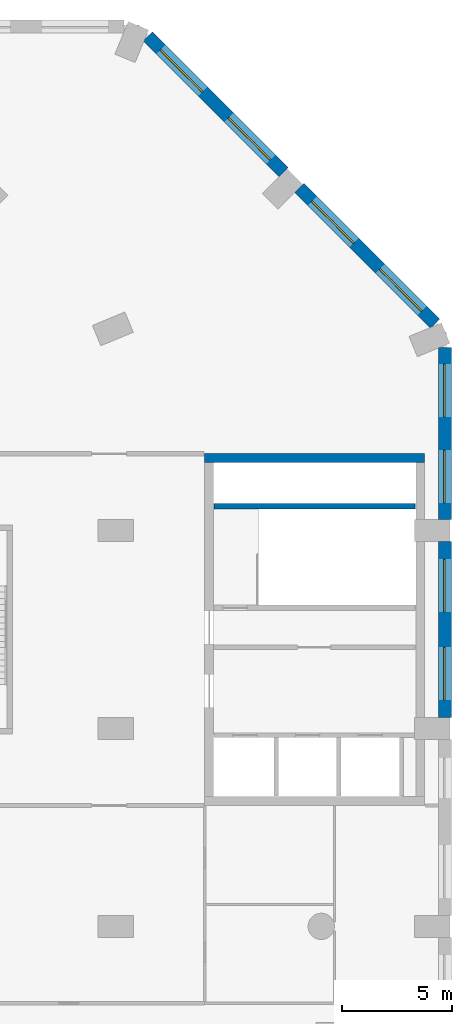
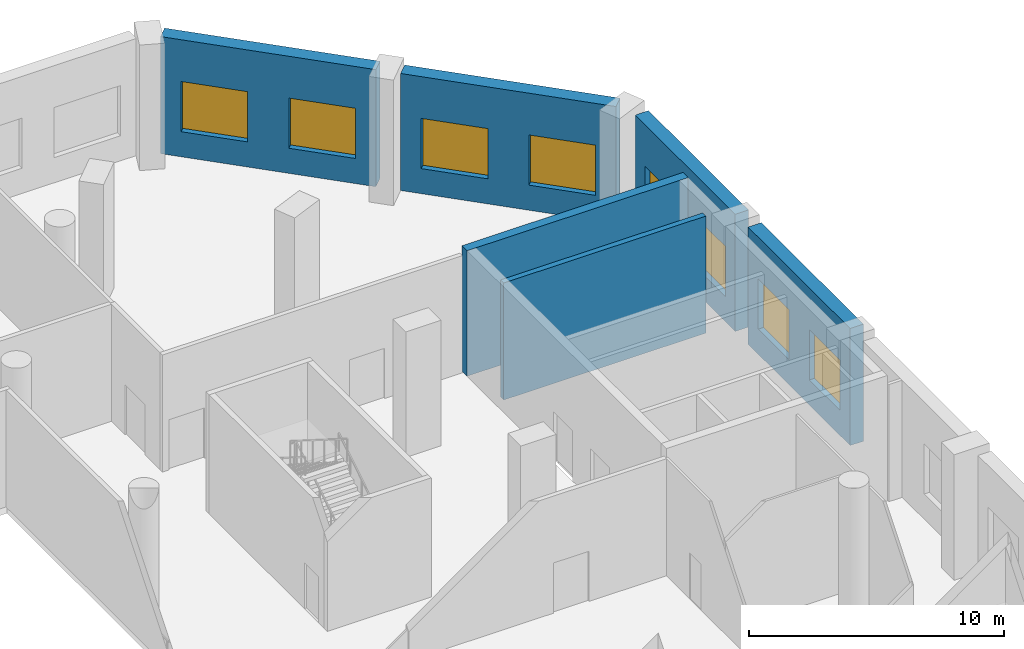
# One storey, part 9 of 19: 8 windows, 6 walls, 8 openings.
"""IFC4 building model written with IfcOpenShell, lengths in metres."""

from ifc_helpers import new_model, si_unit, direction, frame, frame_2d, origin, place, context, subcontext, project, spatial, rectangle, extrude, material, layer, layer_set, type_object, element, fill, save


model = new_model("IFC4")

# Units and contexts
model_context = context("Model", 3, precision=1e-05, world=origin(), true_north=direction((0.0, 1.0)))
body_context = subcontext(model_context, "Body", "Model", "MODEL_VIEW")
ifc_project = project(units=[si_unit("LENGTHUNIT", "METRE"), si_unit("AREAUNIT", "SQUARE_METRE"), si_unit("VOLUMEUNIT", "CUBIC_METRE"), si_unit("PLANEANGLEUNIT", "RADIAN"), si_unit("MASSUNIT", "GRAM", prefix="KILO")], contexts=[model_context])

# Site, building, storey
site_placement = place(None, origin())
site = spatial("IfcSite", under=ifc_project, at=site_placement, CompositionType="ELEMENT")
building_placement = place(site_placement, origin())
building = spatial("IfcBuilding", under=site, at=building_placement, Name="Cypress Arch Tower", CompositionType="ELEMENT")
storey_placement = place(building_placement, frame((0.0, 0.0, 44.0)))
storey = spatial("IfcBuildingStorey", under=building, at=storey_placement, Name="L05", CompositionType="ELEMENT", Elevation=44.0)

# Wall, openings, windows
ifc_material_1 = material(Name="Brick (red buff blend) on blockwork backing", Category="masonry")
ifc_layer_1 = layer(ifc_material_1, 0.60009765625)
ifc_layer_set_1 = layer_set([ifc_layer_1], Name="Brick base wall BW600")
wall_type_1 = type_object("IfcWallType", Name="Brick base wall BW600", PredefinedType="ELEMENTEDWALL", material=ifc_layer_set_1)
wall_1_placement = place(storey_placement, frame((38.925048828125, -4.0, 0.0), z_axis=(0.0, 0.0, 1.0), x_axis=(0.0, 1.0, 0.0)))
wall_1 = element("IfcWall", 1, at=wall_1_placement, inside=storey, type_object=wall_type_1, Name="Brick wall L05 P01.3", PredefinedType="ELEMENTEDWALL", context=body_context, shape_type="SweptSolid", body=[
    extrude(rectangle(XDim=8.0, YDim=0.60009765625, at=frame_2d((4.0, 0.0))), origin(), (0.0, 0.0, 1.0), 5.595947265625),
])
opening_1_placement = place(wall_1_placement, frame((0.800048828125, 0.0, 1.199951171875)))
opening_1 = element("IfcOpeningElement", 2, at=opening_1_placement, cuts=wall_1, Name="Opening W240P", PredefinedType="OPENING", context=body_context, shape_type="SweptSolid", body=[
    extrude(rectangle(XDim=2.39990234375, YDim=2.39990234375, at=frame_2d((1.199951171875, 1.199951171875))), frame((0.0, 0.31005859375, 0.0), z_axis=(0.0, -1.0, 0.0), x_axis=(1.0, 0.0, 0.0)), (0.0, 0.0, 1.0), 0.6201171875),
])
opening_2_placement = place(wall_1_placement, frame((4.800048828125, 0.0, 1.199951171875)))
opening_2 = element("IfcOpeningElement", 3, at=opening_2_placement, cuts=wall_1, Name="Opening W240P", PredefinedType="OPENING", context=body_context, shape_type="SweptSolid", body=[
    extrude(rectangle(XDim=2.39990234375, YDim=2.39990234375, at=frame_2d((1.199951171875, 1.199951171875))), frame((0.0, 0.31005859375, 0.0), z_axis=(0.0, -1.0, 0.0), x_axis=(1.0, 0.0, 0.0)), (0.0, 0.0, 1.0), 0.6201171875),
])
ifc_material_2 = material(Name="Anodised aluminium, bronze finish, clear low-emissivity double glazing", Category="aluminium")
window_type_1 = type_object("IfcWindowType", Name="Window Podium 2400x2400", PartitioningType="SINGLE_PANEL", PredefinedType="WINDOW", material=ifc_material_2)
window_1_placement = place(opening_1_placement, origin())
window_1 = element("IfcWindow", 4, at=window_1_placement, inside=storey, type_object=window_type_1, Name="Window L05 P01.3.1", OverallHeight=2.39990234375, OverallWidth=2.39990234375, PartitioningType="SINGLE_PANEL", PredefinedType="WINDOW", context=body_context, shape_type="SweptSolid", body=[
    extrude(rectangle(XDim=2.39990234375, YDim=2.39990234375, at=frame_2d((1.199951171875, 1.199951171875))), frame((0.0, 0.06005859375, 0.0), z_axis=(0.0, -1.0, 0.0), x_axis=(1.0, 0.0, 0.0)), (0.0, 0.0, 1.0), 0.06005859375),
])
fill(opening_1, window_1)
window_2_placement = place(opening_2_placement, origin())
window_2 = element("IfcWindow", 5, at=window_2_placement, inside=storey, type_object=window_type_1, Name="Window L05 P01.3.2", OverallHeight=2.39990234375, OverallWidth=2.39990234375, PartitioningType="SINGLE_PANEL", PredefinedType="WINDOW", context=body_context, shape_type="SweptSolid", body=[
    extrude(rectangle(XDim=2.39990234375, YDim=2.39990234375, at=frame_2d((1.199951171875, 1.199951171875))), frame((0.0, 0.06005859375, 0.0), z_axis=(0.0, -1.0, 0.0), x_axis=(1.0, 0.0, 0.0)), (0.0, 0.0, 1.0), 0.06005859375),
])
fill(opening_2, window_2)

wall_2_placement = place(storey_placement, frame((38.925048828125, 5.0, 0.0), z_axis=(0.0, 0.0, 1.0), x_axis=(0.0, 1.0, 0.0)))
wall_2 = element("IfcWall", 6, at=wall_2_placement, inside=storey, type_object=wall_type_1, Name="Brick wall L05 P01.4", PredefinedType="ELEMENTEDWALL", context=body_context, shape_type="SweptSolid", body=[
    extrude(rectangle(XDim=7.83447265625, YDim=0.60009765625, at=frame_2d((3.917236328125, 0.0))), origin(), (0.0, 0.0, 1.0), 5.595947265625),
])
opening_3_placement = place(wall_2_placement, frame((0.758544921875, 0.0, 1.199951171875)))
opening_3 = element("IfcOpeningElement", 7, at=opening_3_placement, cuts=wall_2, Name="Opening W240P", PredefinedType="OPENING", context=body_context, shape_type="SweptSolid", body=[
    extrude(rectangle(XDim=2.39990234375, YDim=2.39990234375, at=frame_2d((1.199951171875, 1.199951171875))), frame((0.0, 0.31005859375, 0.0), z_axis=(0.0, -1.0, 0.0), x_axis=(1.0, 0.0, 0.0)), (0.0, 0.0, 1.0), 0.6201171875),
])
opening_4_placement = place(wall_2_placement, frame((4.676025390625, 0.0, 1.199951171875)))
opening_4 = element("IfcOpeningElement", 8, at=opening_4_placement, cuts=wall_2, Name="Opening W240P", PredefinedType="OPENING", context=body_context, shape_type="SweptSolid", body=[
    extrude(rectangle(XDim=2.39990234375, YDim=2.39990234375, at=frame_2d((1.199951171875, 1.199951171875))), frame((0.0, 0.31005859375, 0.0), z_axis=(0.0, -1.0, 0.0), x_axis=(1.0, 0.0, 0.0)), (0.0, 0.0, 1.0), 0.6201171875),
])
window_3_placement = place(opening_3_placement, origin())
window_3 = element("IfcWindow", 9, at=window_3_placement, inside=storey, type_object=window_type_1, Name="Window L05 P01.4.1", OverallHeight=2.39990234375, OverallWidth=2.39990234375, PartitioningType="SINGLE_PANEL", PredefinedType="WINDOW", context=body_context, shape_type="SweptSolid", body=[
    extrude(rectangle(XDim=2.39990234375, YDim=2.39990234375, at=frame_2d((1.199951171875, 1.199951171875))), frame((0.0, 0.06005859375, 0.0), z_axis=(0.0, -1.0, 0.0), x_axis=(1.0, 0.0, 0.0)), (0.0, 0.0, 1.0), 0.06005859375),
])
fill(opening_3, window_3)
window_4_placement = place(opening_4_placement, origin())
window_4 = element("IfcWindow", 10, at=window_4_placement, inside=storey, type_object=window_type_1, Name="Window L05 P01.4.2", OverallHeight=2.39990234375, OverallWidth=2.39990234375, PartitioningType="SINGLE_PANEL", PredefinedType="WINDOW", context=body_context, shape_type="SweptSolid", body=[
    extrude(rectangle(XDim=2.39990234375, YDim=2.39990234375, at=frame_2d((1.199951171875, 1.199951171875))), frame((0.0, 0.06005859375, 0.0), z_axis=(0.0, -1.0, 0.0), x_axis=(1.0, 0.0, 0.0)), (0.0, 0.0, 1.0), 0.06005859375),
])
fill(opening_4, window_4)

wall_3_placement = place(storey_placement, frame((38.476318359375, 13.91748046875, 0.0), z_axis=(0.0, 0.0, 1.0), x_axis=(-0.707092804673, 0.707120757424, 0.0)))
wall_3 = element("IfcWall", 11, at=wall_3_placement, inside=storey, type_object=wall_type_1, Name="Brick wall L05 P02.0", PredefinedType="ELEMENTEDWALL", context=body_context, shape_type="SweptSolid", body=[
    extrude(rectangle(XDim=8.734130859375, YDim=0.60009765625, at=frame_2d((4.3671875, 0.0))), origin(), (0.0, 0.0, 1.0), 5.595947265625),
])
opening_5_placement = place(wall_3_placement, frame((0.83349609375, 0.0, 1.199951171875)))
opening_5 = element("IfcOpeningElement", 12, at=opening_5_placement, cuts=wall_3, Name="Opening W270P", PredefinedType="OPENING", context=body_context, shape_type="SweptSolid", body=[
    extrude(rectangle(XDim=2.699951171875, YDim=2.39990234375, at=frame_2d((1.35009765625, 1.199951171875))), frame((0.0, 0.31005859375, 0.0), z_axis=(0.0, -1.0, 0.0), x_axis=(1.0, 0.0, 0.0)), (0.0, 0.0, 1.0), 0.6201171875),
])
opening_6_placement = place(wall_3_placement, frame((5.200439453125, 0.0, 1.199951171875)))
opening_6 = element("IfcOpeningElement", 13, at=opening_6_placement, cuts=wall_3, Name="Opening W270P", PredefinedType="OPENING", context=body_context, shape_type="SweptSolid", body=[
    extrude(rectangle(XDim=2.699951171875, YDim=2.39990234375, at=frame_2d((1.35009765625, 1.199951171875))), frame((0.0, 0.31005859375, 0.0), z_axis=(0.0, -1.0, 0.0), x_axis=(1.0, 0.0, 0.0)), (0.0, 0.0, 1.0), 0.6201171875),
])
ifc_material_3 = material(Name="Anodised aluminium, bronze finish, clear low-emissivity double glazing", Category="aluminium")
window_type_2 = type_object("IfcWindowType", Name="Window Podium 2700x2400", PartitioningType="SINGLE_PANEL", PredefinedType="WINDOW", material=ifc_material_3)
window_5_placement = place(opening_5_placement, origin())
window_5 = element("IfcWindow", 14, at=window_5_placement, inside=storey, type_object=window_type_2, Name="Window L05 P02.0.1", OverallHeight=2.39990234375, OverallWidth=2.699951171875, PartitioningType="SINGLE_PANEL", PredefinedType="WINDOW", context=body_context, shape_type="SweptSolid", body=[
    extrude(rectangle(XDim=2.699951171875, YDim=2.39990234375, at=frame_2d((1.35009765625, 1.199951171875))), frame((0.0, 0.06005859375, 0.0), z_axis=(0.0, -1.0, 0.0), x_axis=(1.0, 0.0, 0.0)), (0.0, 0.0, 1.0), 0.06005859375),
])
fill(opening_5, window_5)
window_6_placement = place(opening_6_placement, origin())
window_6 = element("IfcWindow", 15, at=window_6_placement, inside=storey, type_object=window_type_2, Name="Window L05 P02.0.2", OverallHeight=2.39990234375, OverallWidth=2.699951171875, PartitioningType="SINGLE_PANEL", PredefinedType="WINDOW", context=body_context, shape_type="SweptSolid", body=[
    extrude(rectangle(XDim=2.699951171875, YDim=2.39990234375, at=frame_2d((1.35009765625, 1.199951171875))), frame((0.0, 0.06005859375, 0.0), z_axis=(0.0, -1.0, 0.0), x_axis=(1.0, 0.0, 0.0)), (0.0, 0.0, 1.0), 0.06005859375),
])
fill(opening_6, window_6)

wall_4_placement = place(storey_placement, frame((31.593505859375, 20.800537109375, 0.0), z_axis=(0.0, 0.0, 1.0), x_axis=(-0.707120757424, 0.707092804673, 0.0)))
wall_4 = element("IfcWall", 16, at=wall_4_placement, inside=storey, type_object=wall_type_1, Name="Brick wall L05 P02.1", PredefinedType="ELEMENTEDWALL", context=body_context, shape_type="SweptSolid", body=[
    extrude(rectangle(XDim=8.734130859375, YDim=0.60009765625, at=frame_2d((4.3671875, 0.0))), origin(), (0.0, 0.0, 1.0), 5.595947265625),
])
opening_7_placement = place(wall_4_placement, frame((0.83349609375, 0.0, 1.199951171875)))
opening_7 = element("IfcOpeningElement", 17, at=opening_7_placement, cuts=wall_4, Name="Opening W270P", PredefinedType="OPENING", context=body_context, shape_type="SweptSolid", body=[
    extrude(rectangle(XDim=2.699951171875, YDim=2.39990234375, at=frame_2d((1.35009765625, 1.199951171875))), frame((0.0, 0.31005859375, 0.0), z_axis=(0.0, -1.0, 0.0), x_axis=(1.0, 0.0, 0.0)), (0.0, 0.0, 1.0), 0.6201171875),
])
opening_8_placement = place(wall_4_placement, frame((5.200439453125, 0.0, 1.199951171875)))
opening_8 = element("IfcOpeningElement", 18, at=opening_8_placement, cuts=wall_4, Name="Opening W270P", PredefinedType="OPENING", context=body_context, shape_type="SweptSolid", body=[
    extrude(rectangle(XDim=2.699951171875, YDim=2.39990234375, at=frame_2d((1.35009765625, 1.199951171875))), frame((0.0, 0.31005859375, 0.0), z_axis=(0.0, -1.0, 0.0), x_axis=(1.0, 0.0, 0.0)), (0.0, 0.0, 1.0), 0.6201171875),
])
window_7_placement = place(opening_7_placement, origin())
window_7 = element("IfcWindow", 19, at=window_7_placement, inside=storey, type_object=window_type_2, Name="Window L05 P02.1.1", OverallHeight=2.39990234375, OverallWidth=2.699951171875, PartitioningType="SINGLE_PANEL", PredefinedType="WINDOW", context=body_context, shape_type="SweptSolid", body=[
    extrude(rectangle(XDim=2.699951171875, YDim=2.39990234375, at=frame_2d((1.35009765625, 1.199951171875))), frame((0.0, 0.06005859375, 0.0), z_axis=(0.0, -1.0, 0.0), x_axis=(1.0, 0.0, 0.0)), (0.0, 0.0, 1.0), 0.06005859375),
])
fill(opening_7, window_7)
window_8_placement = place(opening_8_placement, origin())
window_8 = element("IfcWindow", 20, at=window_8_placement, inside=storey, type_object=window_type_2, Name="Window L05 P02.1.2", OverallHeight=2.39990234375, OverallWidth=2.699951171875, PartitioningType="SINGLE_PANEL", PredefinedType="WINDOW", context=body_context, shape_type="SweptSolid", body=[
    extrude(rectangle(XDim=2.699951171875, YDim=2.39990234375, at=frame_2d((1.35009765625, 1.199951171875))), frame((0.0, 0.06005859375, 0.0), z_axis=(0.0, -1.0, 0.0), x_axis=(1.0, 0.0, 0.0)), (0.0, 0.0, 1.0), 0.06005859375),
])
fill(opening_8, window_8)

# Walls
ifc_material_4 = material(Name="Concrete C60/75", Category="concrete")
ifc_layer_2 = layer(ifc_material_4, 0.39990234375)
ifc_layer_set_2 = layer_set([ifc_layer_2], Name="East core wall CW400 C60/75")
wall_type_2 = type_object("IfcWallType", Name="East core wall CW400 C60/75", PredefinedType="SHEAR", material=ifc_layer_set_2)
wall_5_placement = place(storey_placement, frame((28.0, 7.800048828125, 0.0), z_axis=(0.0, 0.0, 1.0), x_axis=(1.0, 0.0, 0.0)))
element("IfcWall", 21, at=wall_5_placement, inside=storey, type_object=wall_type_2, Name="East core wall", PredefinedType="SHEAR", context=body_context, shape_type="SweptSolid", body=[
    extrude(rectangle(XDim=10.0, YDim=0.39990234375, at=frame_2d((5.0, 0.0))), origin(), (0.0, 0.0, 1.0), 6.0),
])
ifc_material_5 = material(Name="Concrete C50/60", Category="concrete")
ifc_layer_3 = layer(ifc_material_5, 0.25)
ifc_layer_set_3 = layer_set([ifc_layer_3], Name="Stair enclosure wall SW250")
wall_type_3 = type_object("IfcWallType", Name="Stair enclosure wall SW250", PredefinedType="SHEAR", material=ifc_layer_set_3)
wall_6_placement = place(storey_placement, frame((28.429931640625, 5.60009765625, 0.0), z_axis=(0.0, 0.0, 1.0), x_axis=(1.0, 0.0, 0.0)))
element("IfcWall", 22, at=wall_6_placement, inside=storey, type_object=wall_type_3, Name="Stair enclosure wall", PredefinedType="SHEAR", context=body_context, shape_type="SweptSolid", body=[
    extrude(rectangle(XDim=9.14013671875, YDim=0.25, at=frame_2d((4.570068359375, 0.0))), origin(), (0.0, 0.0, 1.0), 5.595947265625),
])

save(model, "model.ifc")
